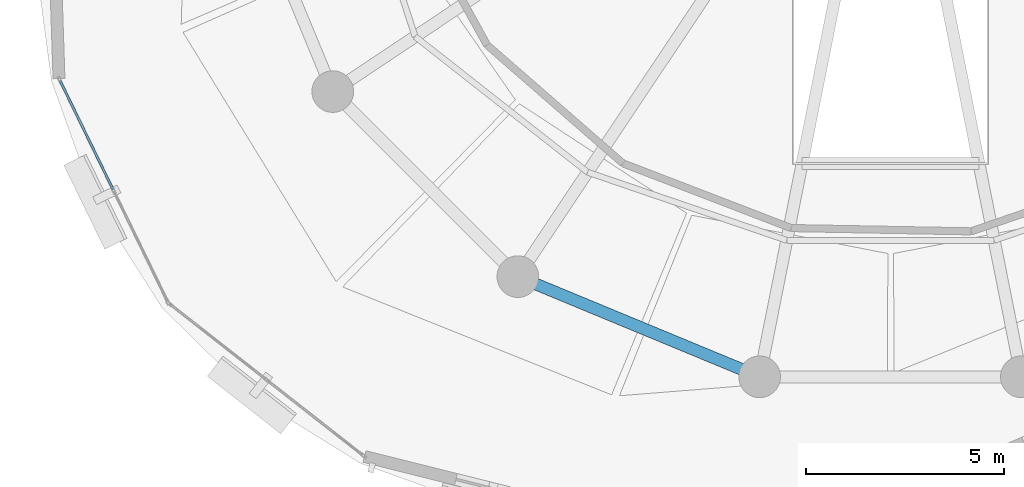
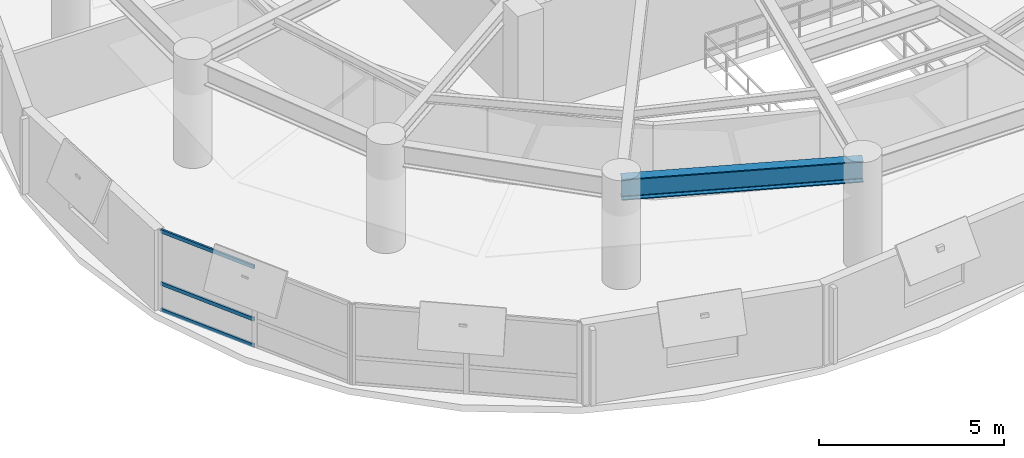
# One storey, part 3 of 12: 3 members, 1 beam, 1 element without a shape of its own.
"""IFC4 building model written with IfcOpenShell, lengths in metres."""

from ifc_helpers import new_model, si_unit, direction, frame, origin, origin_2d, place, context, subcontext, project, spatial, hollow_rectangle, i_section, extrude, material, layer, layer_set, material_profile, profile_set, type_object, element, aggregate, save


model = new_model("IFC4")

# Units and contexts
model_context = context("Model", 3, precision=1e-05, world=origin(), true_north=direction((0.0, 1.0)))
body_context = subcontext(model_context, "Body", "Model", "MODEL_VIEW")
ifc_project = project(units=[si_unit("LENGTHUNIT", "METRE"), si_unit("AREAUNIT", "SQUARE_METRE"), si_unit("VOLUMEUNIT", "CUBIC_METRE"), si_unit("PLANEANGLEUNIT", "RADIAN"), si_unit("MASSUNIT", "GRAM", prefix="KILO"), si_unit("THERMODYNAMICTEMPERATUREUNIT", "KELVIN"), si_unit("POWERUNIT", "WATT")], contexts=[model_context])

# Site, building, storey
site_placement = place(None, origin())
site = spatial("IfcSite", under=ifc_project, at=site_placement, CompositionType="ELEMENT")
building_placement = place(site_placement, origin())
building = spatial("IfcBuilding", under=site, at=building_placement, Name="Ocrelia Relay Tower", CompositionType="ELEMENT")
storey_placement = place(building_placement, frame((0.0, 0.0, 195.199951171875)))
storey = spatial("IfcBuildingStorey", under=building, at=storey_placement, Name="L47", CompositionType="ELEMENT", Elevation=195.199951171875)

# Beam
ifc_material_1 = material(Name="Steel S355", Category="steel")
ifc_material_profile_1 = material_profile(ifc_material_1, i_section(OverallWidth=0.300048828125, OverallDepth=0.699951171875, WebThickness=0.01708984375, FlangeThickness=0.031982421875, FilletRadius=0.027099609375, at=origin_2d()), Name="HEB 700")
ifc_profile_set_1 = profile_set([ifc_material_profile_1], Name="Steel S355")
beam_type = type_object("IfcBeamType", Name="BM-HEB700", PredefinedType="BEAM", material=ifc_profile_set_1)
beam_placement = place(storey_placement, frame((24.61083984375, 11.9482421875, 3.030029296875), z_axis=(0.923877844151, -0.382687508402, 0.0), x_axis=(0.382687508402, 0.923877844151, 0.0)))
element("IfcBeam", 1, at=beam_placement, inside=storey, type_object=beam_type, Name="L47 Perimeter Spandrel Beam S11", PredefinedType="BEAM", context=body_context, shape_type="SweptSolid", body=[
    extrude(i_section(OverallWidth=0.300048828125, OverallDepth=0.699951171875, WebThickness=0.01708984375, FlangeThickness=0.031982421875, FilletRadius=0.027099609375, at=origin_2d()), origin(), (0.0, 0.0, 1.0), 6.593994140625),
])

# Curtain wall, members
ifc_material_2 = material(Name="Aluminium and solar-control low-E glass", Category="aluminium")
ifc_layer = layer(ifc_material_2, 0.179931640625, Name="Aluminium and solar-control low-E glass")
ifc_layer_set = layer_set([ifc_layer], Name="Aluminium and solar-control low-E glass")
curtain_wall_type = type_object("IfcCurtainWallType", Name="CW-SYS-Z3-CLOU", PredefinedType="NOTDEFINED", material=ifc_layer_set)
curtain_wall_placement = place(storey_placement, origin())
curtain_wall = element("IfcCurtainWall", 2, at=curtain_wall_placement, inside=storey, type_object=curtain_wall_type, Name="L47 Elliptical Tower Curtain Wall Bay 09", PredefinedType="NOTDEFINED")
ifc_material_3 = material(Name="Anodised bronze aluminium", Category="aluminium")
ifc_material_profile_2 = material_profile(ifc_material_3, hollow_rectangle(XDim=0.06005859375, YDim=0.1201171875, WallThickness=0.0048828125, at=origin_2d()), Name="CW-TRN-120x60")
ifc_profile_set_2 = profile_set([ifc_material_profile_2], Name="Anodised bronze aluminium")
member_type = type_object("IfcMemberType", Name="CW-SYS-Z3-CLOU-TRN", PredefinedType="USERDEFINED", material=ifc_profile_set_2)
member_1_placement = place(storey_placement, frame((13.079345703125, 16.879638671875, 0.030029296875), z_axis=(0.437853071769, -0.899046543591, 0.0), x_axis=(0.899046543591, 0.437853071769, 0.0)))
member_1 = element("IfcMember", 3, at=member_1_placement, type_object=member_type, Name="CW-Z3 transom 1.1", ObjectType="TRANSOM", PredefinedType="USERDEFINED", context=body_context, shape_type="SweptSolid", body=[
    extrude(hollow_rectangle(XDim=0.06005859375, YDim=0.1201171875, WallThickness=0.0048828125, at=origin_2d()), origin(), (0.0, 0.0, 1.0), 3.0439453125),
])
member_2_placement = place(storey_placement, frame((13.079345703125, 16.879638671875, 0.900146484375), z_axis=(0.437853071769, -0.899046543591, 0.0), x_axis=(0.899046543591, 0.437853071769, 0.0)))
member_2 = element("IfcMember", 4, at=member_2_placement, type_object=member_type, Name="CW-Z3 transom 1.2", ObjectType="TRANSOM", PredefinedType="USERDEFINED", context=body_context, shape_type="SweptSolid", body=[
    extrude(hollow_rectangle(XDim=0.06005859375, YDim=0.1201171875, WallThickness=0.0048828125, at=origin_2d()), origin(), (0.0, 0.0, 1.0), 3.0439453125),
])
member_3_placement = place(storey_placement, frame((13.079345703125, 16.879638671875, 2.630126953125), z_axis=(0.437853071769, -0.899046543591, 0.0), x_axis=(0.899046543591, 0.437853071769, 0.0)))
member_3 = element("IfcMember", 5, at=member_3_placement, type_object=member_type, Name="CW-Z3 transom 1.3", ObjectType="TRANSOM", PredefinedType="USERDEFINED", context=body_context, shape_type="SweptSolid", body=[
    extrude(hollow_rectangle(XDim=0.06005859375, YDim=0.1201171875, WallThickness=0.0048828125, at=origin_2d()), origin(), (0.0, 0.0, 1.0), 3.0439453125),
])
aggregate(curtain_wall, [member_1, member_2, member_3])

save(model, "model.ifc")
